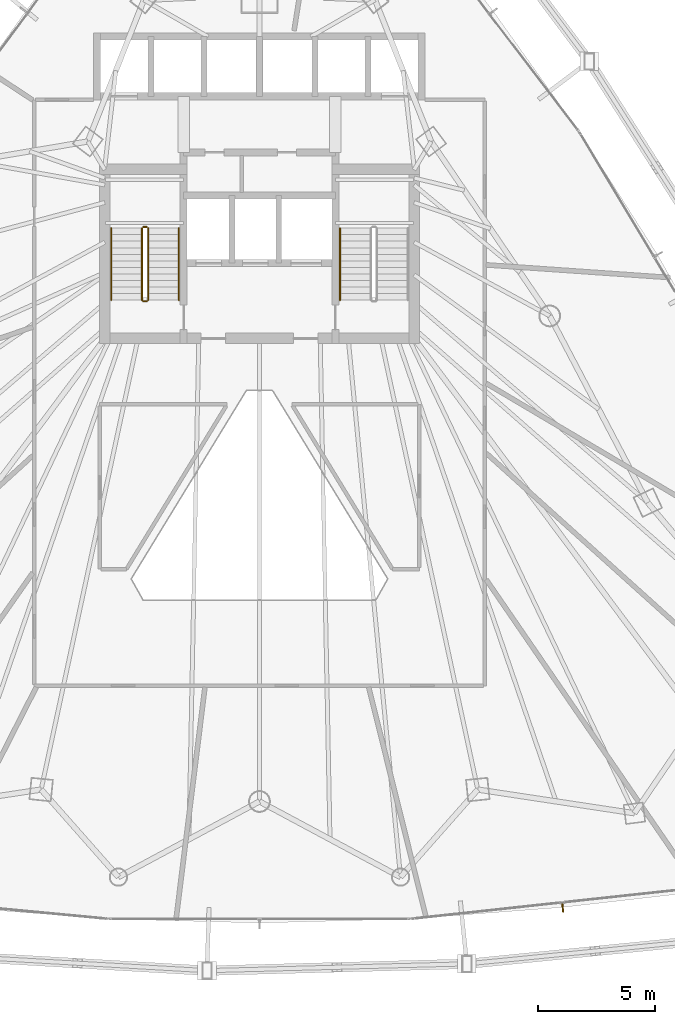
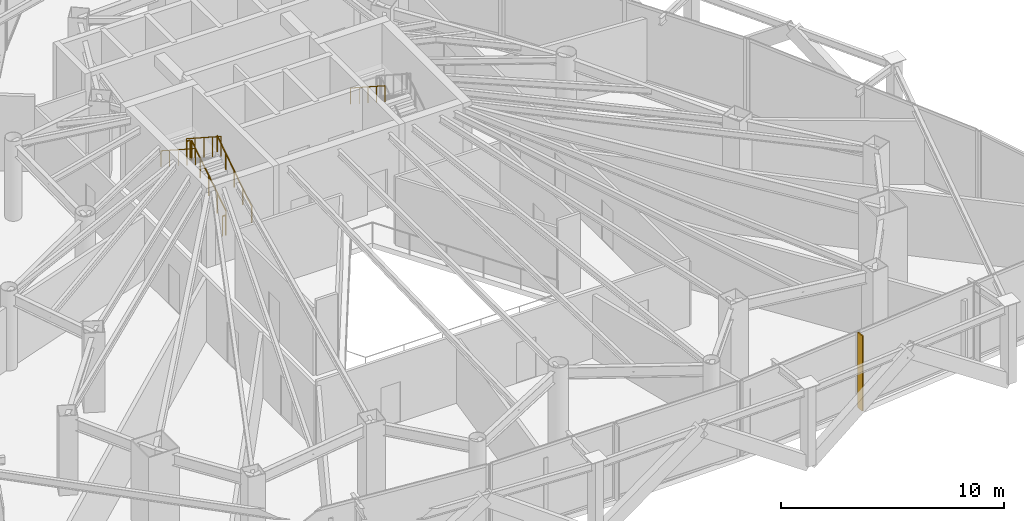
# One storey, part 31 of 33: 7 railings, 1 shading device.
"""IFC4 building model written with IfcOpenShell, lengths in metres."""

from ifc_helpers import new_model, si_unit, direction, frame, origin, origin_2d, place, context, subcontext, project, spatial, rectangle, circle, extrude, material, layer, layer_set, type_object, element, save


model = new_model("IFC4")

# Units and contexts
model_context = context("Model", 3, precision=1e-05, world=origin(), true_north=direction((0.0, 1.0)))
body_context = subcontext(model_context, "Body", "Model", "MODEL_VIEW")
ifc_project = project(units=[si_unit("LENGTHUNIT", "METRE"), si_unit("AREAUNIT", "SQUARE_METRE"), si_unit("VOLUMEUNIT", "CUBIC_METRE"), si_unit("PLANEANGLEUNIT", "RADIAN"), si_unit("MASSUNIT", "GRAM", prefix="KILO")], contexts=[model_context])

# Site, building, storey
site_placement = place(None, origin())
site = spatial("IfcSite", under=ifc_project, at=site_placement, CompositionType="ELEMENT")
building_placement = place(site_placement, origin())
building = spatial("IfcBuilding", under=site, at=building_placement, Name="Orvanel Arch Residences", CompositionType="ELEMENT")
storey_placement = place(building_placement, frame((0.0, 0.0, 59.89990234375)))
storey = spatial("IfcBuildingStorey", under=building, at=storey_placement, Name="L16", CompositionType="ELEMENT", Elevation=59.89990234375)

# Shading device
ifc_material_1 = material(Name="Bronze-anodised aluminium AA6063-T6", Category="aluminium")
ifc_layer = layer(ifc_material_1, 0.06005859375)
ifc_layer_set = layer_set([ifc_layer], Name="Bronze-anodised aluminium AA6063-T6")
shading_device_type = type_object("IfcShadingDeviceType", Name="FIN-BRZ-380", PredefinedType="USERDEFINED", material=ifc_layer_set)
shading_device_placement = place(storey_placement, frame((45.989013671875, 2.2958984375, 0.0), z_axis=(0.0, 0.0, 1.0), x_axis=(0.107999355706, -0.994150963972, 0.0)))
element("IfcShadingDevice", 1, at=shading_device_placement, inside=storey, type_object=shading_device_type, Name="L16 Anodised Bronze Mullion FIN 01", ObjectType="FIN", PredefinedType="USERDEFINED", context=body_context, shape_type="SweptSolid", body=[
    extrude(rectangle(XDim=0.3798828125, YDim=0.06005859375, at=origin_2d()), origin(), (0.0, 0.0, 1.0), 4.110107421875),
])

# Railings
ifc_material_2 = material(Name="Structural steel AS/NZS 1163 C350L0 (Grade 350)", Category="steel")
railing_type_1 = type_object("IfcRailingType", Name="RL-STAIR-GUARD", PredefinedType="GUARDRAIL", material=ifc_material_2)
railing_1_placement = place(storey_placement, frame((28.22998046875, 28.320068359375, 0.181396484375)))
element("IfcRailing", 2, at=railing_1_placement, inside=storey, type_object=railing_type_1, Name="L16 ST-1 stair guard 1", PredefinedType="GUARDRAIL", context=body_context, shape_type="SweptSolid", body=[
    extrude(circle(Radius=0.02392578125, at=origin_2d()), frame((0.0, 0.001220703125, 1.076904296875), z_axis=(0.0, 0.839468376875, 0.543408542652), x_axis=(-1.0, 0.0, 0.0)), (0.0, 0.0, 1.0), 3.665771484375),
    extrude(circle(Radius=0.02099609375, at=origin_2d()), origin(), (0.0, 0.0, 1.0), 1.050048828125),
    extrude(circle(Radius=0.02099609375, at=origin_2d()), frame((0.0, 0.77001953125, 0.49853515625)), (0.0, 0.0, 1.0), 1.050048828125),
    extrude(circle(Radius=0.02099609375, at=origin_2d()), frame((0.0, 1.5400390625, 0.996826171875)), (0.0, 0.0, 1.0), 1.050048828125),
    extrude(circle(Radius=0.02099609375, at=origin_2d()), frame((0.0, 2.309814453125, 1.4951171875)), (0.0, 0.0, 1.0), 1.050048828125),
    extrude(circle(Radius=0.02099609375, at=origin_2d()), frame((0.0, 3.079833984375, 1.99365234375)), (0.0, 0.0, 1.0), 1.050048828125),
])
railing_2_placement = place(storey_placement, frame((28.179931640625, 31.449951171875, 2.175048828125)))
element("IfcRailing", 3, at=railing_2_placement, inside=storey, type_object=railing_type_1, Name="L16 ST-1 stair guard 2", PredefinedType="GUARDRAIL", context=body_context, shape_type="SweptSolid", body=[
    extrude(circle(Radius=0.02392578125, at=origin_2d()), frame((-0.00146484375, 0.0, 1.076171875), z_axis=(-1.0, 0.0, 0.0), x_axis=(0.0, -1.0, 0.0)), (0.0, 0.0, 1.0), 0.156982421875),
    extrude(circle(Radius=0.02099609375, at=origin_2d()), origin(), (0.0, 0.0, 1.0), 1.050048828125),
    extrude(circle(Radius=0.02099609375, at=origin_2d()), frame((-0.159912109375, 0.0, 0.0)), (0.0, 0.0, 1.0), 1.050048828125),
])
railing_3_placement = place(storey_placement, frame((27.969970703125, 31.39990234375, 2.3564453125)))
element("IfcRailing", 4, at=railing_3_placement, inside=storey, type_object=railing_type_1, Name="L16 ST-1 stair guard 3", PredefinedType="GUARDRAIL", context=body_context, shape_type="SweptSolid", body=[
    extrude(circle(Radius=0.02392578125, at=origin_2d()), frame((0.0, -0.001220703125, 1.076904296875), z_axis=(0.0, -0.839468376875, 0.543408542652), x_axis=(1.0, 0.0, 0.0)), (0.0, 0.0, 1.0), 3.665771484375),
    extrude(circle(Radius=0.02099609375, at=origin_2d()), origin(), (0.0, 0.0, 1.0), 1.050048828125),
    extrude(circle(Radius=0.02099609375, at=origin_2d()), frame((0.0, -0.77001953125, 0.49853515625)), (0.0, 0.0, 1.0), 1.050048828125),
    extrude(circle(Radius=0.02099609375, at=origin_2d()), frame((0.0, -1.5400390625, 0.996826171875)), (0.0, 0.0, 1.0), 1.050048828125),
    extrude(circle(Radius=0.02099609375, at=origin_2d()), frame((0.0, -2.309814453125, 1.4951171875)), (0.0, 0.0, 1.0), 1.050048828125),
    extrude(circle(Radius=0.02099609375, at=origin_2d()), frame((0.0, -3.079833984375, 1.99365234375)), (0.0, 0.0, 1.0), 1.050048828125),
])
railing_4_placement = place(storey_placement, frame((28.179931640625, 28.27001953125, 0.0)))
element("IfcRailing", 5, at=railing_4_placement, inside=storey, type_object=railing_type_1, Name="L16 ST-1 stair guard 4", PredefinedType="GUARDRAIL", context=body_context, shape_type="SweptSolid", body=[
    extrude(circle(Radius=0.02392578125, at=origin_2d()), frame((-0.00146484375, 0.0, 1.076171875), z_axis=(-1.0, 0.0, 0.0), x_axis=(0.0, -1.0, 0.0)), (0.0, 0.0, 1.0), 0.156982421875),
    extrude(circle(Radius=0.02099609375, at=origin_2d()), origin(), (0.0, 0.0, 1.0), 1.050048828125),
    extrude(circle(Radius=0.02099609375, at=origin_2d()), frame((-0.159912109375, 0.0, 0.0)), (0.0, 0.0, 1.0), 1.050048828125),
])
railing_type_2 = type_object("IfcRailingType", Name="RL-STAIR-HAND", PredefinedType="HANDRAIL", material=ifc_material_2)
railing_5_placement = place(storey_placement, frame((29.550048828125, 28.320068359375, 0.181396484375)))
element("IfcRailing", 6, at=railing_5_placement, inside=storey, type_object=railing_type_2, Name="L16 ST-1 stair handrail 1", PredefinedType="HANDRAIL", context=body_context, shape_type="SweptSolid", body=[
    extrude(circle(Radius=0.02392578125, at=origin_2d()), frame((0.0, 0.001220703125, 0.876708984375), z_axis=(0.0, 0.839468376875, 0.543408542652), x_axis=(-1.0, 0.0, 0.0)), (0.0, 0.0, 1.0), 3.665771484375),
    extrude(circle(Radius=0.02099609375, at=origin_2d()), origin(), (0.0, 0.0, 1.0), 0.849853515625),
    extrude(circle(Radius=0.02099609375, at=origin_2d()), frame((0.0, 0.77001953125, 0.49853515625)), (0.0, 0.0, 1.0), 0.849853515625),
    extrude(circle(Radius=0.02099609375, at=origin_2d()), frame((0.0, 1.5400390625, 0.996826171875)), (0.0, 0.0, 1.0), 0.849853515625),
    extrude(circle(Radius=0.02099609375, at=origin_2d()), frame((0.0, 2.309814453125, 1.4951171875)), (0.0, 0.0, 1.0), 0.849853515625),
    extrude(circle(Radius=0.02099609375, at=origin_2d()), frame((0.0, 3.079833984375, 1.99365234375)), (0.0, 0.0, 1.0), 0.849853515625),
])
for number, where, name in (
    (7, (26.64990234375, 31.39990234375, 2.3564453125), "L16 ST-1 stair handrail 2"),
    (8, (36.449951171875, 31.39990234375, 2.3564453125), "L16 ST-2 stair handrail 2"),
):
    element("IfcRailing", number, at=place(storey_placement, frame(where)), inside=storey, type_object=railing_type_2, Name=name, PredefinedType="HANDRAIL", context=body_context, shape_type="SweptSolid", body=[
        extrude(circle(Radius=0.02392578125, at=origin_2d()), frame((0.0, -0.001220703125, 0.876708984375), z_axis=(0.0, -0.839468376875, 0.543408542652), x_axis=(1.0, 0.0, 0.0)), (0.0, 0.0, 1.0), 3.665771484375),
        extrude(circle(Radius=0.02099609375, at=origin_2d()), origin(), (0.0, 0.0, 1.0), 0.849853515625),
        extrude(circle(Radius=0.02099609375, at=origin_2d()), frame((0.0, -0.77001953125, 0.49853515625)), (0.0, 0.0, 1.0), 0.849853515625),
        extrude(circle(Radius=0.02099609375, at=origin_2d()), frame((0.0, -1.5400390625, 0.996826171875)), (0.0, 0.0, 1.0), 0.849853515625),
        extrude(circle(Radius=0.02099609375, at=origin_2d()), frame((0.0, -2.309814453125, 1.4951171875)), (0.0, 0.0, 1.0), 0.849853515625),
        extrude(circle(Radius=0.02099609375, at=origin_2d()), frame((0.0, -3.079833984375, 1.99365234375)), (0.0, 0.0, 1.0), 0.849853515625),
    ])

save(model, "model.ifc")
